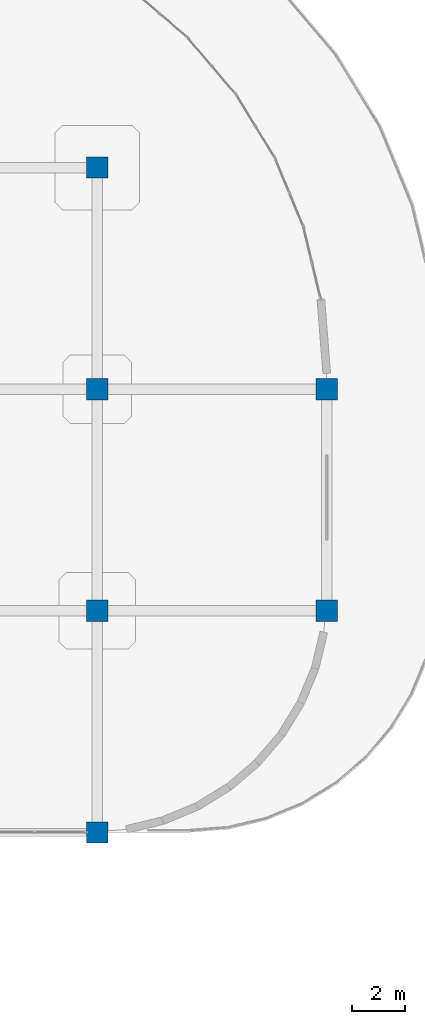
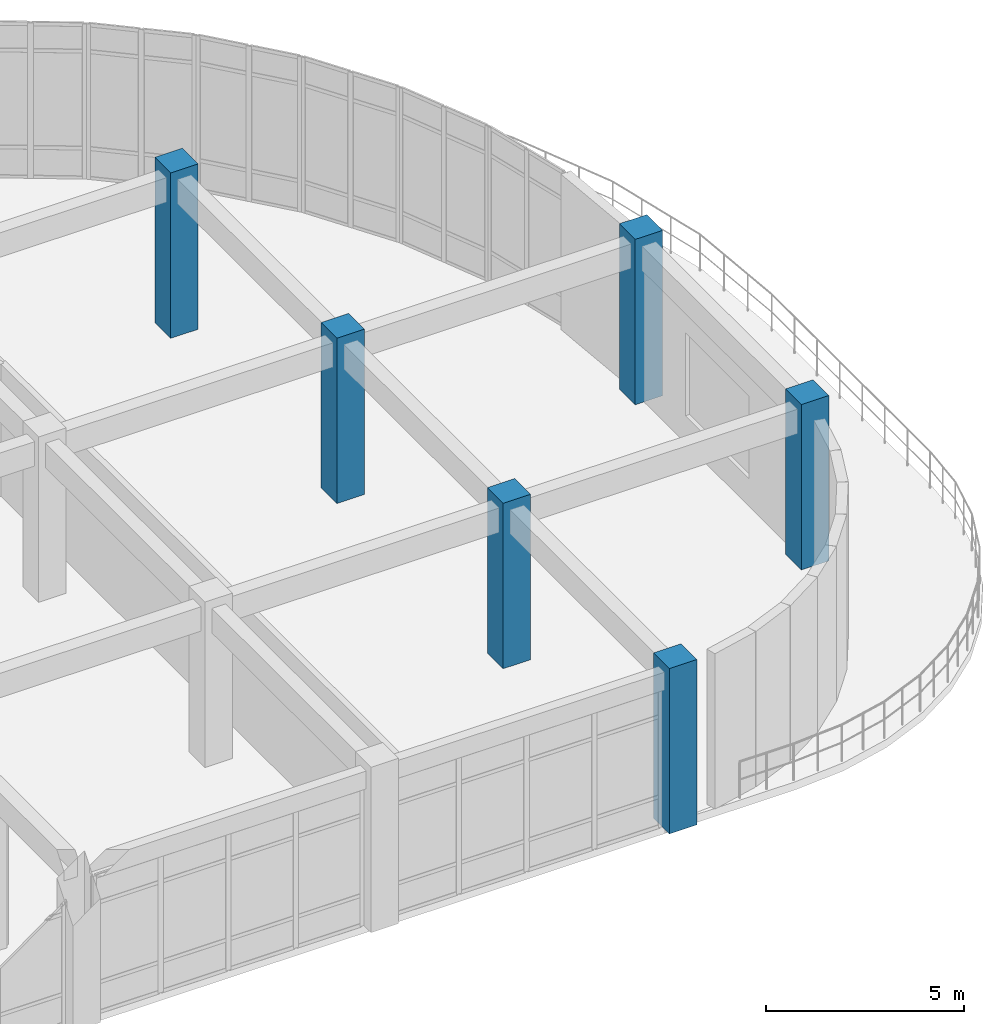
# One storey, part 5 of 96: 6 columns.
"""IFC4 building model written with IfcOpenShell, lengths in metres."""

from ifc_helpers import new_model, si_unit, derived_unit, direction, frame, origin, origin_2d, place, context, subcontext, project, spatial, rectangle, extrude, material, material_profile, profile_set, type_object, element, save


model = new_model("IFC4")

# Units and contexts
model_context = context("Model", 3, precision=1e-05, world=origin(), true_north=direction((0.0, 1.0)))
body_context = subcontext(model_context, "Body", "Model", "MODEL_VIEW")
ifc_project = project(units=[si_unit("LENGTHUNIT", "METRE"), si_unit("AREAUNIT", "SQUARE_METRE"), si_unit("VOLUMEUNIT", "CUBIC_METRE"), si_unit("PLANEANGLEUNIT", "RADIAN"), si_unit("MASSUNIT", "GRAM", prefix="KILO"), derived_unit("THERMALTRANSMITTANCEUNIT", [(si_unit("MASSUNIT", "GRAM", prefix="KILO"), 1), (si_unit("TIMEUNIT", "SECOND"), -3), (si_unit("THERMODYNAMICTEMPERATUREUNIT", "KELVIN"), -1)])], contexts=[model_context])

# Site, building, storey
site_placement = place(None, origin())
site = spatial("IfcSite", under=ifc_project, at=site_placement, CompositionType="ELEMENT")
building_placement = place(site_placement, origin())
building = spatial("IfcBuilding", under=site, at=building_placement, Name="Qinzheling Arcade Emporium", CompositionType="ELEMENT")
storey_placement = place(building_placement, frame((0.0, 0.0, 21.60009765625)))
storey = spatial("IfcBuildingStorey", under=building, at=storey_placement, Name="L05", CompositionType="ELEMENT", Elevation=21.60009765625)

# Columns
ifc_material = material(Name="Concrete C40", Category="concrete")
ifc_material_profile = material_profile(ifc_material, rectangle(XDim=0.800048828125, YDim=0.800048828125, at=origin_2d()), Name="RC 800x800", Category="concrete")
ifc_profile_set = profile_set([ifc_material_profile], Name="Concrete C40")
column_type = type_object("IfcColumnType", Name="RC Column 800x800 C40", PredefinedType="COLUMN", material=ifc_profile_set)
for number, where, z_axis, x_axis, name in (
    (1, (130.5, 73.800048828125, 0.0), (0.0, 0.0, 1.0), (1.0, 0.0, 0.0), "Column COL-L05-16-J"),
    (2, (130.5, 82.199951171875, 0.0), (0.0, 0.0, 1.0), (1.0, 0.0, 0.0), "Column COL-L05-16-K"),
    (3, (130.5, 90.60009765625, 0.0), (0.0, 0.0, 1.0), (1.0, 0.0, 0.0), "Column COL-L05-16-L"),
    (4, (130.5, 99.0, 0.0), (0.0, 0.0, 1.0), (1.0, 0.0, 0.0), "Column COL-L05-16-M"),
    (5, (139.199951171875, 82.199951171875, 0.0), (0.0, 0.0, 1.0), (1.0, 0.0, 0.0), "Column COL-L05-17-K"),
    (6, (139.199951171875, 90.60009765625, 0.0), (0.0, 0.0, 1.0), (1.0, 0.0, 0.0), "Column COL-L05-17-L"),
):
    element("IfcColumn", number, at=place(storey_placement, frame(where, z_axis=z_axis, x_axis=x_axis)), inside=storey, type_object=column_type, Name=name, PredefinedType="COLUMN", context=body_context, shape_type="SweptSolid", body=[
        extrude(rectangle(XDim=0.800048828125, YDim=0.800048828125, at=origin_2d()), origin(), (0.0, 0.0, 1.0), 5.099853515625),
    ])

save(model, "model.ifc")
